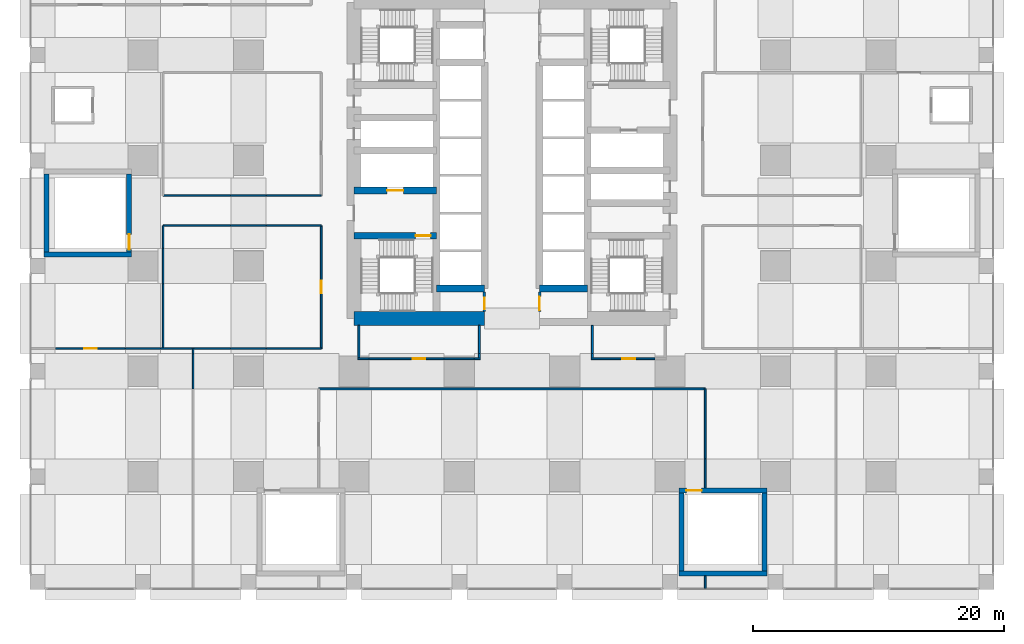
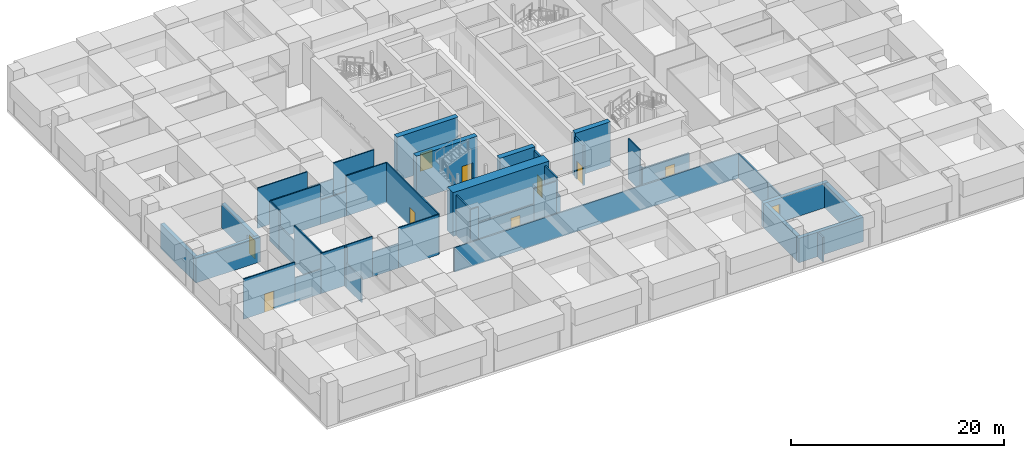
# One storey, part 39 of 52: 46 walls, 10 doors, 10 openings.
"""IFC4 building model written with IfcOpenShell, lengths in metres."""

from ifc_helpers import new_model, si_unit, direction, frame, frame_2d, origin, place, context, subcontext, project, spatial, rectangle, extrude, material, layer, layer_set, type_object, element, fill, save


model = new_model("IFC4")

# Units and contexts
model_context = context("Model", 3, precision=1e-05, world=origin(), true_north=direction((0.0, 1.0)))
body_context = subcontext(model_context, "Body", "Model", "MODEL_VIEW")
ifc_project = project(units=[si_unit("LENGTHUNIT", "METRE"), si_unit("AREAUNIT", "SQUARE_METRE"), si_unit("VOLUMEUNIT", "CUBIC_METRE"), si_unit("PLANEANGLEUNIT", "RADIAN"), si_unit("MASSUNIT", "GRAM", prefix="KILO")], contexts=[model_context])

# Site, building, storey
site_placement = place(None, origin())
site = spatial("IfcSite", under=ifc_project, at=site_placement, CompositionType="ELEMENT")
building_placement = place(site_placement, origin())
building = spatial("IfcBuilding", under=site, at=building_placement, Name="Rekha Terrace Tower", CompositionType="ELEMENT")
storey_placement = place(building_placement, frame((0.0, 0.0, 20.39990234375)))
storey = spatial("IfcBuildingStorey", under=building, at=storey_placement, Name="L04", CompositionType="ELEMENT", Elevation=20.39990234375)

# Walls
ifc_material_1 = material(Name="Concrete M70", Category="concrete")
ifc_layer_1 = layer(ifc_material_1, 0.550048828125)
ifc_layer_set_1 = layer_set([ifc_layer_1], Name="Concrete M70")
wall_type_1 = type_object("IfcWallType", Name="CI1 550 core internal shear wall", PredefinedType="SHEAR", material=ifc_layer_set_1)
for number, where, z_axis, x_axis, name in (
    (1, (31.800048828125, 23.39990234375, 0.0), (0.0, 0.0, 1.0), (1.0, 0.0, 0.0), "Core wall Y234W L04"),
    (2, (40.0, 23.39990234375, 0.0), (0.0, 0.0, 1.0), (1.0, 0.0, 0.0), "Core wall Y234E L04"),
):
    element("IfcWall", number, at=place(storey_placement, frame(where, z_axis=z_axis, x_axis=x_axis)), inside=storey, type_object=wall_type_1, Name=name, PredefinedType="SHEAR", context=body_context, shape_type="SweptSolid", body=[
        extrude(rectangle(XDim=3.800048828125, YDim=0.550048828125, at=frame_2d((1.89990234375, 0.0))), origin(), (0.0, 0.0, 1.0), 5.0),
    ])

# Wall, opening, door
wall_1_placement = place(storey_placement, frame((25.199951171875, 27.60009765625, 0.0), z_axis=(0.0, 0.0, 1.0), x_axis=(1.0, 0.0, 0.0)))
wall_1 = element("IfcWall", 3, at=wall_1_placement, inside=storey, type_object=wall_type_1, Name="Core wall Y276W L04", PredefinedType="SHEAR", context=body_context, shape_type="SweptSolid", body=[
    extrude(rectangle(XDim=6.60009765625, YDim=0.550048828125, at=frame_2d((3.300048828125, 0.0))), origin(), (0.0, 0.0, 1.0), 5.0),
])
opening_1_placement = place(wall_1_placement, frame((4.925048828125, 0.0, 0.0)))
opening_1 = element("IfcOpeningElement", 4, at=opening_1_placement, cuts=wall_1, Name="Opening D1", PredefinedType="OPENING", context=body_context, shape_type="SweptSolid", body=[
    extrude(rectangle(XDim=1.199951171875, YDim=2.10009765625, at=frame_2d((0.60009765625, 1.050048828125))), frame((0.0, 0.284912109375, 0.0), z_axis=(0.0, -1.0, 0.0), x_axis=(1.0, 0.0, 0.0)), (0.0, 0.0, 1.0), 0.570068359375),
])
ifc_material_2 = material(Name="Steel fire door", Category="steel")
door_type_1 = type_object("IfcDoorType", Name="D1 1200x2100 stair fire door", OperationType="SINGLE_SWING_RIGHT", PredefinedType="DOOR", material=ifc_material_2)
door_1_placement = place(opening_1_placement, origin())
door_1 = element("IfcDoor", 5, at=door_1_placement, inside=storey, type_object=door_type_1, Name="Stair ST1 door L04", OperationType="SINGLE_SWING_RIGHT", OverallHeight=2.10009765625, OverallWidth=1.199951171875, PredefinedType="DOOR", context=body_context, shape_type="SweptSolid", body=[
    extrude(rectangle(XDim=1.199951171875, YDim=2.10009765625, at=frame_2d((0.60009765625, 1.050048828125))), frame((0.0, 0.02490234375, 0.0), z_axis=(0.0, -1.0, 0.0), x_axis=(1.0, 0.0, 0.0)), (0.0, 0.0, 1.0), 0.050048828125),
])
fill(opening_1, door_1)

wall_2_placement = place(storey_placement, frame((25.199951171875, 31.199951171875, 0.0), z_axis=(0.0, 0.0, 1.0), x_axis=(1.0, 0.0, 0.0)))
wall_2 = element("IfcWall", 6, at=wall_2_placement, inside=storey, type_object=wall_type_1, Name="Core wall Y312W L04", PredefinedType="SHEAR", context=body_context, shape_type="SweptSolid", body=[
    extrude(rectangle(XDim=6.60009765625, YDim=0.550048828125, at=frame_2d((3.300048828125, 0.0))), origin(), (0.0, 0.0, 1.0), 5.0),
])
opening_2_placement = place(wall_2_placement, frame((2.64990234375, 0.0, 0.0)))
opening_2 = element("IfcOpeningElement", 7, at=opening_2_placement, cuts=wall_2, Name="Opening LD2", PredefinedType="OPENING", context=body_context, shape_type="SweptSolid", body=[
    extrude(rectangle(XDim=1.300048828125, YDim=2.10009765625, at=frame_2d((0.64990234375, 1.050048828125))), frame((0.0, 0.284912109375, 0.0), z_axis=(0.0, -1.0, 0.0), x_axis=(1.0, 0.0, 0.0)), (0.0, 0.0, 1.0), 0.570068359375),
])
ifc_material_3 = material(Name="Stainless steel sliding landing door", Category="steel")
door_type_2 = type_object("IfcDoorType", Name="LD2 1300x2100 fire lift landing door", OperationType="SLIDING_TO_LEFT", PredefinedType="USERDEFINED", material=ifc_material_3)
door_2_placement = place(opening_2_placement, origin())
door_2 = element("IfcDoor", 8, at=door_2_placement, inside=storey, type_object=door_type_2, Name="Lift FL1 landing door L04", ObjectType="LIFT LANDING DOOR", OperationType="SLIDING_TO_LEFT", OverallHeight=2.10009765625, OverallWidth=1.300048828125, PredefinedType="USERDEFINED", context=body_context, shape_type="SweptSolid", body=[
    extrude(rectangle(XDim=1.300048828125, YDim=2.10009765625, at=frame_2d((0.64990234375, 1.050048828125))), frame((0.0, 0.02490234375, 0.0), z_axis=(0.0, -1.0, 0.0), x_axis=(1.0, 0.0, 0.0)), (0.0, 0.0, 1.0), 0.050048828125),
])
fill(opening_2, door_2)

# Walls
ifc_layer_2 = layer(ifc_material_1, 1.10009765625)
ifc_layer_set_2 = layer_set([ifc_layer_2], Name="Concrete M70")
wall_type_2 = type_object("IfcWallType", Name="SW1 1100 core outer shear wall", PredefinedType="SHEAR", material=ifc_layer_set_2)
wall_3_placement = place(storey_placement, frame((25.199951171875, 21.0, 0.0), z_axis=(0.0, 0.0, 1.0), x_axis=(1.0, 0.0, 0.0)))
element("IfcWall", 9, at=wall_3_placement, inside=storey, type_object=wall_type_2, Name="Core wall S1 L04", PredefinedType="SHEAR", context=body_context, shape_type="SweptSolid", body=[
    extrude(rectangle(XDim=10.400146484375, YDim=1.10009765625, at=frame_2d((5.2001953125, 0.0))), origin(), (0.0, 0.0, 1.0), 5.0),
])
ifc_material_4 = material(Name="Concrete block masonry, 1 hour", Category="masonry")
ifc_layer_3 = layer(ifc_material_4, 0.14990234375)
ifc_layer_set_3 = layer_set([ifc_layer_3], Name="Concrete block masonry, 1 hour")
wall_type_3 = type_object("IfcWallType", Name="WP2 150 tenancy partition", PredefinedType="PARTITIONING", material=ifc_layer_set_3)
wall_4_placement = place(storey_placement, frame((25.52490234375, 17.800048828125, 0.0), z_axis=(0.0, 0.0, 1.0), x_axis=(1.0, 0.0, 0.0)))
element("IfcWall", 10, at=wall_4_placement, inside=storey, type_object=wall_type_3, Name="Men's WC wall L04", PredefinedType="PARTITIONING", context=body_context, shape_type="SweptSolid", body=[
    extrude(rectangle(XDim=0.875, YDim=0.14990234375, at=frame_2d((0.4375, 0.0))), origin(), (0.0, 0.0, 1.0), 4.60009765625),
])

# Wall, opening, door
wall_5_placement = place(storey_placement, frame((26.39990234375, 17.800048828125, 0.0), z_axis=(0.0, 0.0, 1.0), x_axis=(1.0, 0.0, 0.0)))
wall_5 = element("IfcWall", 11, at=wall_5_placement, inside=storey, type_object=wall_type_3, Name="Men's WC wall L04", PredefinedType="PARTITIONING", context=body_context, shape_type="SweptSolid", body=[
    extrude(rectangle(XDim=6.0, YDim=0.14990234375, at=frame_2d((3.0, 0.0))), origin(), (0.0, 0.0, 1.0), 2.800048828125),
])
opening_3_placement = place(wall_5_placement, frame((3.5, 0.0, 0.0)))
opening_3 = element("IfcOpeningElement", 12, at=opening_3_placement, cuts=wall_5, Name="Opening D3", PredefinedType="OPENING", context=body_context, shape_type="SweptSolid", body=[
    extrude(rectangle(XDim=1.0, YDim=2.10009765625, at=frame_2d((0.5, 1.050048828125))), frame((0.0, 0.0849609375, 0.0), z_axis=(0.0, -1.0, 0.0), x_axis=(1.0, 0.0, 0.0)), (0.0, 0.0, 1.0), 0.169921875),
])
ifc_material_5 = material(Name="Laminated timber fire door", Category="wood")
door_type_3 = type_object("IfcDoorType", Name="D3 1000x2100 WC door", OperationType="SINGLE_SWING_LEFT", PredefinedType="DOOR", material=ifc_material_5)
door_3_placement = place(opening_3_placement, origin())
door_3 = element("IfcDoor", 13, at=door_3_placement, inside=storey, type_object=door_type_3, Name="Door men's wc L04", OperationType="SINGLE_SWING_LEFT", OverallHeight=2.10009765625, OverallWidth=1.0, PredefinedType="DOOR", context=body_context, shape_type="SweptSolid", body=[
    extrude(rectangle(XDim=1.0, YDim=2.10009765625, at=frame_2d((0.5, 1.050048828125))), frame((0.0, 0.02490234375, 0.0), z_axis=(0.0, -1.0, 0.0), x_axis=(1.0, 0.0, 0.0)), (0.0, 0.0, 1.0), 0.050048828125),
])
fill(opening_3, door_3)

# Walls
wall_6_placement = place(storey_placement, frame((32.39990234375, 17.800048828125, 0.0), z_axis=(0.0, 0.0, 1.0), x_axis=(1.0, 0.0, 0.0)))
element("IfcWall", 14, at=wall_6_placement, inside=storey, type_object=wall_type_3, Name="Men's WC wall L04", PredefinedType="PARTITIONING", context=body_context, shape_type="SweptSolid", body=[
    extrude(rectangle(XDim=2.400146484375, YDim=0.14990234375, at=frame_2d((1.2001953125, 0.0))), origin(), (0.0, 0.0, 1.0), 4.60009765625),
])
wall_7_placement = place(storey_placement, frame((34.800048828125, 17.800048828125, 0.0), z_axis=(0.0, 0.0, 1.0), x_axis=(1.0, 0.0, 0.0)))
element("IfcWall", 15, at=wall_7_placement, inside=storey, type_object=wall_type_3, Name="Men's WC wall L04", PredefinedType="PARTITIONING", context=body_context, shape_type="SweptSolid", body=[
    extrude(rectangle(XDim=0.474853515625, YDim=0.14990234375, at=frame_2d((0.2373046875, 0.0))), origin(), (0.0, 0.0, 1.0), 2.800048828125),
])
wall_8_placement = place(storey_placement, frame((25.60009765625, 17.875, 0.0), z_axis=(0.0, 0.0, 1.0), x_axis=(0.0, 1.0, 0.0)))
element("IfcWall", 16, at=wall_8_placement, inside=storey, type_object=wall_type_3, Name="Men's WC wall L04", PredefinedType="PARTITIONING", context=body_context, shape_type="SweptSolid", body=[
    extrude(rectangle(XDim=2.574951171875, YDim=0.14990234375, at=frame_2d((1.28759765625, 0.0))), origin(), (0.0, 0.0, 1.0), 4.60009765625),
])
wall_9_placement = place(storey_placement, frame((35.199951171875, 17.875, 0.0), z_axis=(0.0, 0.0, 1.0), x_axis=(0.0, 1.0, 0.0)))
element("IfcWall", 17, at=wall_9_placement, inside=storey, type_object=wall_type_3, Name="Men's WC wall L04", PredefinedType="PARTITIONING", context=body_context, shape_type="SweptSolid", body=[
    extrude(rectangle(XDim=0.3349609375, YDim=0.14990234375, at=frame_2d((0.16748046875, 0.0))), origin(), (0.0, 0.0, 1.0), 2.800048828125),
])
wall_10_placement = place(storey_placement, frame((35.199951171875, 18.2099609375, 0.0), z_axis=(0.0, 0.0, 1.0), x_axis=(0.0, 1.0, 0.0)))
element("IfcWall", 18, at=wall_10_placement, inside=storey, type_object=wall_type_3, Name="Men's WC wall L04", PredefinedType="PARTITIONING", context=body_context, shape_type="SweptSolid", body=[
    extrude(rectangle(XDim=2.239990234375, YDim=0.14990234375, at=frame_2d((1.1201171875, 0.0))), origin(), (0.0, 0.0, 1.0), 4.60009765625),
])

# Wall, opening, door
wall_11_placement = place(storey_placement, frame((44.125, 17.800048828125, 0.0), z_axis=(0.0, 0.0, 1.0), x_axis=(1.0, 0.0, 0.0)))
wall_11 = element("IfcWall", 19, at=wall_11_placement, inside=storey, type_object=wall_type_3, Name="Men's WC wall L04", PredefinedType="PARTITIONING", context=body_context, shape_type="SweptSolid", body=[
    extrude(rectangle(XDim=5.074951171875, YDim=0.14990234375, at=frame_2d((2.53759765625, 0.0))), origin(), (0.0, 0.0, 1.0), 2.800048828125),
])
opening_4_placement = place(wall_11_placement, frame((2.47509765625, 0.0, 0.0)))
opening_4 = element("IfcOpeningElement", 20, at=opening_4_placement, cuts=wall_11, Name="Opening D3", PredefinedType="OPENING", context=body_context, shape_type="SweptSolid", body=[
    extrude(rectangle(XDim=1.0, YDim=2.10009765625, at=frame_2d((0.5, 1.050048828125))), frame((0.0, 0.0849609375, 0.0), z_axis=(0.0, -1.0, 0.0), x_axis=(1.0, 0.0, 0.0)), (0.0, 0.0, 1.0), 0.169921875),
])
door_4_placement = place(opening_4_placement, origin())
door_4 = element("IfcDoor", 21, at=door_4_placement, inside=storey, type_object=door_type_3, Name="Door men's wc L04", OperationType="SINGLE_SWING_LEFT", OverallHeight=2.10009765625, OverallWidth=1.0, PredefinedType="DOOR", context=body_context, shape_type="SweptSolid", body=[
    extrude(rectangle(XDim=1.0, YDim=2.10009765625, at=frame_2d((0.5, 1.050048828125))), frame((0.0, 0.02490234375, 0.0), z_axis=(0.0, -1.0, 0.0), x_axis=(1.0, 0.0, 0.0)), (0.0, 0.0, 1.0), 0.050048828125),
])
fill(opening_4, door_4)

# Walls
wall_12_placement = place(storey_placement, frame((44.199951171875, 17.875, 0.0), z_axis=(0.0, 0.0, 1.0), x_axis=(0.0, 1.0, 0.0)))
element("IfcWall", 22, at=wall_12_placement, inside=storey, type_object=wall_type_3, Name="Men's WC wall L04", PredefinedType="PARTITIONING", context=body_context, shape_type="SweptSolid", body=[
    extrude(rectangle(XDim=0.3349609375, YDim=0.14990234375, at=frame_2d((0.16748046875, 0.0))), origin(), (0.0, 0.0, 1.0), 2.800048828125),
])
wall_13_placement = place(storey_placement, frame((44.199951171875, 18.2099609375, 0.0), z_axis=(0.0, 0.0, 1.0), x_axis=(0.0, 1.0, 0.0)))
element("IfcWall", 23, at=wall_13_placement, inside=storey, type_object=wall_type_3, Name="Men's WC wall L04", PredefinedType="PARTITIONING", context=body_context, shape_type="SweptSolid", body=[
    extrude(rectangle(XDim=2.239990234375, YDim=0.14990234375, at=frame_2d((1.1201171875, 0.0))), origin(), (0.0, 0.0, 1.0), 4.60009765625),
])
wall_14_placement = place(storey_placement, frame((22.39990234375, 15.39990234375, 0.0), z_axis=(0.0, 0.0, 1.0), x_axis=(1.0, 0.0, 0.0)))
element("IfcWall", 24, at=wall_14_placement, inside=storey, type_object=wall_type_3, Name="Partition L04-02", PredefinedType="PARTITIONING", context=body_context, shape_type="SweptSolid", body=[
    extrude(rectangle(XDim=30.800048828125, YDim=0.14990234375, at=frame_2d((15.39990234375, 0.0))), origin(), (0.0, 0.0, 1.0), 2.800048828125),
])
wall_15_placement = place(storey_placement, frame((53.199951171875, 15.39990234375, 0.0), z_axis=(0.0, 0.0, 1.0), x_axis=(0.0, -1.0, 0.0)))
element("IfcWall", 25, at=wall_15_placement, inside=storey, type_object=wall_type_3, Name="Partition L04-02", PredefinedType="PARTITIONING", context=body_context, shape_type="SweptSolid", body=[
    extrude(rectangle(XDim=5.58984375, YDim=0.14990234375, at=frame_2d((2.794921875, 0.0))), origin(), (0.0, 0.0, 1.0), 2.800048828125),
])
wall_16_placement = place(storey_placement, frame((53.199951171875, 9.81005859375, 0.0), z_axis=(0.0, 0.0, 1.0), x_axis=(0.0, -1.0, 0.0)))
element("IfcWall", 26, at=wall_16_placement, inside=storey, type_object=wall_type_3, Name="Partition L04-02", PredefinedType="PARTITIONING", context=body_context, shape_type="SweptSolid", body=[
    extrude(rectangle(XDim=2.31005859375, YDim=0.14990234375, at=frame_2d((1.155029296875, 0.0))), origin(), (0.0, 0.0, 1.0), 2.800048828125),
])
wall_17_placement = place(storey_placement, frame((53.199951171875, 0.5, 0.0), z_axis=(0.0, 0.0, 1.0), x_axis=(0.0, -1.0, 0.0)))
element("IfcWall", 27, at=wall_17_placement, inside=storey, type_object=wall_type_3, Name="Partition L04-02", PredefinedType="PARTITIONING", context=body_context, shape_type="SweptSolid", body=[
    extrude(rectangle(XDim=0.989990234375, YDim=0.14990234375, at=frame_2d((0.4951171875, 0.0))), origin(), (0.0, 0.0, 1.0), 2.800048828125),
])

# Wall, opening, door
ifc_material_6 = material(Name="Two layers of fire-rated gypsum board each side on steel studs, acoustic quilt, 1 hour", Category="steel")
ifc_layer_4 = layer(ifc_material_6, 0.125)
ifc_layer_set_4 = layer_set([ifc_layer_4], Name="Two layers of fire-rated gypsum board each side on steel studs, acoustic quilt, 1 hour")
wall_type_4 = type_object("IfcWallType", Name="WP3 125 office partition", PredefinedType="PARTITIONING", material=ifc_layer_set_4)
wall_18_placement = place(storey_placement, frame((1.409912109375, 18.60009765625, 0.0), z_axis=(0.0, 0.0, 1.0), x_axis=(1.0, 0.0, 0.0)))
wall_18 = element("IfcWall", 28, at=wall_18_placement, inside=storey, type_object=wall_type_4, Name="Partition L04-05", PredefinedType="PARTITIONING", context=body_context, shape_type="SweptSolid", body=[
    extrude(rectangle(XDim=5.580078125, YDim=0.125, at=frame_2d((2.7900390625, 0.0))), origin(), (0.0, 0.0, 1.0), 4.60009765625),
])
opening_5_placement = place(wall_18_placement, frame((2.2900390625, 0.0, 0.0)))
opening_5 = element("IfcOpeningElement", 29, at=opening_5_placement, cuts=wall_18, Name="Opening D9", PredefinedType="OPENING", context=body_context, shape_type="SweptSolid", body=[
    extrude(rectangle(XDim=1.0, YDim=2.10009765625, at=frame_2d((0.5, 1.050048828125))), frame((0.0, 0.072509765625, 0.0), z_axis=(0.0, -1.0, 0.0), x_axis=(1.0, 0.0, 0.0)), (0.0, 0.0, 1.0), 0.14501953125),
])
ifc_material_7 = material(Name="Timber fire door", Category="wood")
door_type_4 = type_object("IfcDoorType", Name="D9 1000x2100 office door", OperationType="SINGLE_SWING_LEFT", PredefinedType="DOOR", material=ifc_material_7)
door_5_placement = place(opening_5_placement, origin())
door_5 = element("IfcDoor", 30, at=door_5_placement, inside=storey, type_object=door_type_4, Name="Door business centre office L04", OperationType="SINGLE_SWING_LEFT", OverallHeight=2.10009765625, OverallWidth=1.0, PredefinedType="DOOR", context=body_context, shape_type="SweptSolid", body=[
    extrude(rectangle(XDim=1.0, YDim=2.10009765625, at=frame_2d((0.5, 1.050048828125))), frame((0.0, 0.02490234375, 0.0), z_axis=(0.0, -1.0, 0.0), x_axis=(1.0, 0.0, 0.0)), (0.0, 0.0, 1.0), 0.050048828125),
])
fill(opening_5, door_5)

# Walls
wall_19_placement = place(storey_placement, frame((6.989990234375, 18.60009765625, 0.0), z_axis=(0.0, 0.0, 1.0), x_axis=(1.0, 0.0, 0.0)))
element("IfcWall", 31, at=wall_19_placement, inside=storey, type_object=wall_type_4, Name="Partition L04-05", PredefinedType="PARTITIONING", context=body_context, shape_type="SweptSolid", body=[
    extrude(rectangle(XDim=2.820068359375, YDim=0.125, at=frame_2d((1.41015625, 0.0))), origin(), (0.0, 0.0, 1.0), 2.800048828125),
])
wall_20_placement = place(storey_placement, frame((9.81005859375, 18.60009765625, 0.0), z_axis=(0.0, 0.0, 1.0), x_axis=(1.0, 0.0, 0.0)))
element("IfcWall", 32, at=wall_20_placement, inside=storey, type_object=wall_type_4, Name="Partition L04-05", PredefinedType="PARTITIONING", context=body_context, shape_type="SweptSolid", body=[
    extrude(rectangle(XDim=2.58984375, YDim=0.125, at=frame_2d((1.294921875, 0.0))), origin(), (0.0, 0.0, 1.0), 4.60009765625),
])
wall_21_placement = place(storey_placement, frame((12.39990234375, 18.60009765625, 0.0), z_axis=(0.0, 0.0, 1.0), x_axis=(0.0, -1.0, 0.0)))
element("IfcWall", 33, at=wall_21_placement, inside=storey, type_object=wall_type_4, Name="Partition L04-05", PredefinedType="PARTITIONING", context=body_context, shape_type="SweptSolid", body=[
    extrude(rectangle(XDim=0.39013671875, YDim=0.125, at=frame_2d((0.195068359375, 0.0))), origin(), (0.0, 0.0, 1.0), 4.60009765625),
])
wall_22_placement = place(storey_placement, frame((12.39990234375, 18.2099609375, 0.0), z_axis=(0.0, 0.0, 1.0), x_axis=(0.0, -1.0, 0.0)))
element("IfcWall", 34, at=wall_22_placement, inside=storey, type_object=wall_type_4, Name="Partition L04-05", PredefinedType="PARTITIONING", context=body_context, shape_type="SweptSolid", body=[
    extrude(rectangle(XDim=2.820068359375, YDim=0.125, at=frame_2d((1.41015625, 0.0))), origin(), (0.0, 0.0, 1.0), 2.800048828125),
])
wall_23_placement = place(storey_placement, frame((10.0, 28.39990234375, 0.0), z_axis=(0.0, 0.0, 1.0), x_axis=(1.0, 0.0, 0.0)))
element("IfcWall", 35, at=wall_23_placement, inside=storey, type_object=wall_type_4, Name="Partition L04-07", PredefinedType="PARTITIONING", context=body_context, shape_type="SweptSolid", body=[
    extrude(rectangle(XDim=5.389892578125, YDim=0.125, at=frame_2d((2.69482421875, 0.0))), origin(), (0.0, 0.0, 1.0), 4.60009765625),
])
wall_24_placement = place(storey_placement, frame((15.389892578125, 28.39990234375, 0.0), z_axis=(0.0, 0.0, 1.0), x_axis=(1.0, 0.0, 0.0)))
element("IfcWall", 36, at=wall_24_placement, inside=storey, type_object=wall_type_4, Name="Partition L04-07", PredefinedType="PARTITIONING", context=body_context, shape_type="SweptSolid", body=[
    extrude(rectangle(XDim=2.820068359375, YDim=0.125, at=frame_2d((1.41015625, 0.0))), origin(), (0.0, 0.0, 1.0), 2.800048828125),
])
wall_25_placement = place(storey_placement, frame((18.2099609375, 28.39990234375, 0.0), z_axis=(0.0, 0.0, 1.0), x_axis=(1.0, 0.0, 0.0)))
element("IfcWall", 37, at=wall_25_placement, inside=storey, type_object=wall_type_4, Name="Partition L04-07", PredefinedType="PARTITIONING", context=body_context, shape_type="SweptSolid", body=[
    extrude(rectangle(XDim=4.39013671875, YDim=0.125, at=frame_2d((2.195068359375, 0.0))), origin(), (0.0, 0.0, 1.0), 4.60009765625),
])

# Wall, opening, door
wall_26_placement = place(storey_placement, frame((22.60009765625, 28.39990234375, 0.0), z_axis=(0.0, 0.0, 1.0), x_axis=(0.0, -1.0, 0.0)))
wall_26 = element("IfcWall", 38, at=wall_26_placement, inside=storey, type_object=wall_type_4, Name="Partition L04-07", PredefinedType="PARTITIONING", context=body_context, shape_type="SweptSolid", body=[
    extrude(rectangle(XDim=9.7998046875, YDim=0.125, at=frame_2d((4.89990234375, 0.0))), origin(), (0.0, 0.0, 1.0), 4.60009765625),
])
opening_6_placement = place(wall_26_placement, frame((4.39990234375, 0.0, 0.0)))
opening_6 = element("IfcOpeningElement", 39, at=opening_6_placement, cuts=wall_26, Name="Opening D9", PredefinedType="OPENING", context=body_context, shape_type="SweptSolid", body=[
    extrude(rectangle(XDim=1.0, YDim=2.10009765625, at=frame_2d((0.5, 1.050048828125))), frame((0.0, 0.072509765625, 0.0), z_axis=(0.0, -1.0, 0.0), x_axis=(1.0, 0.0, 0.0)), (0.0, 0.0, 1.0), 0.14501953125),
])
door_6_placement = place(opening_6_placement, origin())
door_6 = element("IfcDoor", 40, at=door_6_placement, inside=storey, type_object=door_type_4, Name="Door business centre office L04", OperationType="SINGLE_SWING_LEFT", OverallHeight=2.10009765625, OverallWidth=1.0, PredefinedType="DOOR", context=body_context, shape_type="SweptSolid", body=[
    extrude(rectangle(XDim=1.0, YDim=2.10009765625, at=frame_2d((0.5, 1.050048828125))), frame((0.0, 0.02490234375, 0.0), z_axis=(0.0, -1.0, 0.0), x_axis=(1.0, 0.0, 0.0)), (0.0, 0.0, 1.0), 0.050048828125),
])
fill(opening_6, door_6)

# Walls
wall_27_placement = place(storey_placement, frame((22.60009765625, 18.60009765625, 0.0), z_axis=(0.0, 0.0, 1.0), x_axis=(-1.0, 0.0, 0.0)))
element("IfcWall", 41, at=wall_27_placement, inside=storey, type_object=wall_type_4, Name="Partition L04-07", PredefinedType="PARTITIONING", context=body_context, shape_type="SweptSolid", body=[
    extrude(rectangle(XDim=4.39013671875, YDim=0.125, at=frame_2d((2.195068359375, 0.0))), origin(), (0.0, 0.0, 1.0), 4.60009765625),
])
wall_28_placement = place(storey_placement, frame((18.2099609375, 18.60009765625, 0.0), z_axis=(0.0, 0.0, 1.0), x_axis=(-1.0, 0.0, 0.0)))
element("IfcWall", 42, at=wall_28_placement, inside=storey, type_object=wall_type_4, Name="Partition L04-07", PredefinedType="PARTITIONING", context=body_context, shape_type="SweptSolid", body=[
    extrude(rectangle(XDim=2.820068359375, YDim=0.125, at=frame_2d((1.41015625, 0.0))), origin(), (0.0, 0.0, 1.0), 2.800048828125),
])
wall_29_placement = place(storey_placement, frame((15.389892578125, 18.60009765625, 0.0), z_axis=(0.0, 0.0, 1.0), x_axis=(-1.0, 0.0, 0.0)))
element("IfcWall", 43, at=wall_29_placement, inside=storey, type_object=wall_type_4, Name="Partition L04-07", PredefinedType="PARTITIONING", context=body_context, shape_type="SweptSolid", body=[
    extrude(rectangle(XDim=2.989990234375, YDim=0.125, at=frame_2d((1.4951171875, 0.0))), origin(), (0.0, 0.0, 1.0), 4.60009765625),
])
wall_30_placement = place(storey_placement, frame((10.0, 18.6630859375, 0.0), z_axis=(0.0, 0.0, 1.0), x_axis=(0.0, 1.0, 0.0)))
element("IfcWall", 44, at=wall_30_placement, inside=storey, type_object=wall_type_4, Name="Partition L04-07", PredefinedType="PARTITIONING", context=body_context, shape_type="SweptSolid", body=[
    extrude(rectangle(XDim=5.126953125, YDim=0.125, at=frame_2d((2.5634765625, 0.0))), origin(), (0.0, 0.0, 1.0), 4.60009765625),
])
wall_31_placement = place(storey_placement, frame((10.0, 23.7900390625, 0.0), z_axis=(0.0, 0.0, 1.0), x_axis=(0.0, 1.0, 0.0)))
element("IfcWall", 45, at=wall_31_placement, inside=storey, type_object=wall_type_4, Name="Partition L04-07", PredefinedType="PARTITIONING", context=body_context, shape_type="SweptSolid", body=[
    extrude(rectangle(XDim=2.820068359375, YDim=0.125, at=frame_2d((1.41015625, 0.0))), origin(), (0.0, 0.0, 1.0), 2.800048828125),
])
wall_32_placement = place(storey_placement, frame((10.0, 26.610107421875, 0.0), z_axis=(0.0, 0.0, 1.0), x_axis=(0.0, 1.0, 0.0)))
element("IfcWall", 46, at=wall_32_placement, inside=storey, type_object=wall_type_4, Name="Partition L04-07", PredefinedType="PARTITIONING", context=body_context, shape_type="SweptSolid", body=[
    extrude(rectangle(XDim=1.789794921875, YDim=0.125, at=frame_2d((0.89501953125, 0.0))), origin(), (0.0, 0.0, 1.0), 4.60009765625),
])
wall_33_placement = place(storey_placement, frame((22.60009765625, 30.800048828125, 0.0), z_axis=(0.0, 0.0, 1.0), x_axis=(-1.0, 0.0, 0.0)))
element("IfcWall", 47, at=wall_33_placement, inside=storey, type_object=wall_type_4, Name="Partition L04-08", PredefinedType="PARTITIONING", context=body_context, shape_type="SweptSolid", body=[
    extrude(rectangle(XDim=4.39013671875, YDim=0.125, at=frame_2d((2.195068359375, 0.0))), origin(), (0.0, 0.0, 1.0), 4.60009765625),
])
wall_34_placement = place(storey_placement, frame((18.2099609375, 30.800048828125, 0.0), z_axis=(0.0, 0.0, 1.0), x_axis=(-1.0, 0.0, 0.0)))
element("IfcWall", 48, at=wall_34_placement, inside=storey, type_object=wall_type_4, Name="Partition L04-08", PredefinedType="PARTITIONING", context=body_context, shape_type="SweptSolid", body=[
    extrude(rectangle(XDim=2.820068359375, YDim=0.125, at=frame_2d((1.41015625, 0.0))), origin(), (0.0, 0.0, 1.0), 2.800048828125),
])
wall_35_placement = place(storey_placement, frame((15.389892578125, 30.800048828125, 0.0), z_axis=(0.0, 0.0, 1.0), x_axis=(-1.0, 0.0, 0.0)))
element("IfcWall", 49, at=wall_35_placement, inside=storey, type_object=wall_type_4, Name="Partition L04-08", PredefinedType="PARTITIONING", context=body_context, shape_type="SweptSolid", body=[
    extrude(rectangle(XDim=5.389892578125, YDim=0.125, at=frame_2d((2.69482421875, 0.0))), origin(), (0.0, 0.0, 1.0), 4.60009765625),
])

# Wall, opening, door
ifc_material_8 = material(Name="Solid concrete block masonry, 2 hour", Category="masonry")
ifc_layer_5 = layer(ifc_material_8, 0.199951171875)
ifc_layer_set_5 = layer_set([ifc_layer_5], Name="Solid concrete block masonry, 2 hour")
wall_type_5 = type_object("IfcWallType", Name="WS1 200 stair and shaft enclosure", PredefinedType="PARTITIONING", material=ifc_layer_set_5)
wall_36_placement = place(storey_placement, frame((40.0, 21.550048828125, 0.0), z_axis=(0.0, 0.0, 1.0), x_axis=(0.0, 1.0, 0.0)))
wall_36 = element("IfcWall", 50, at=wall_36_placement, inside=storey, type_object=wall_type_5, Name="Core partition wca L04", PredefinedType="PARTITIONING", context=body_context, shape_type="SweptSolid", body=[
    extrude(rectangle(XDim=1.574951171875, YDim=0.199951171875, at=frame_2d((0.78759765625, 0.0))), origin(), (0.0, 0.0, 1.0), 4.60009765625),
])
opening_7_placement = place(wall_36_placement, frame((0.10009765625, 0.0, 0.0)))
opening_7 = element("IfcOpeningElement", 51, at=opening_7_placement, cuts=wall_36, Name="Opening D4", PredefinedType="OPENING", context=body_context, shape_type="SweptSolid", body=[
    extrude(rectangle(XDim=1.10009765625, YDim=2.10009765625, at=frame_2d((0.550048828125, 1.050048828125))), frame((0.0, 0.10986328125, 0.0), z_axis=(0.0, -1.0, 0.0), x_axis=(1.0, 0.0, 0.0)), (0.0, 0.0, 1.0), 0.219970703125),
])
door_type_5 = type_object("IfcDoorType", Name="D4 1100x2100 accessible WC door", OperationType="SLIDING_TO_LEFT", PredefinedType="DOOR", material=ifc_material_5)
door_7_placement = place(opening_7_placement, origin())
door_7 = element("IfcDoor", 52, at=door_7_placement, inside=storey, type_object=door_type_5, Name="Door wca L04", OperationType="SLIDING_TO_LEFT", OverallHeight=2.10009765625, OverallWidth=1.10009765625, PredefinedType="DOOR", context=body_context, shape_type="SweptSolid", body=[
    extrude(rectangle(XDim=1.10009765625, YDim=2.10009765625, at=frame_2d((0.550048828125, 1.050048828125))), frame((0.0, 0.02490234375, 0.0), z_axis=(0.0, -1.0, 0.0), x_axis=(1.0, 0.0, 0.0)), (0.0, 0.0, 1.0), 0.050048828125),
])
fill(opening_7, door_7)

wall_37_placement = place(storey_placement, frame((35.60009765625, 21.550048828125, 0.0), z_axis=(0.0, 0.0, 1.0), x_axis=(0.0, 1.0, 0.0)))
wall_37 = element("IfcWall", 53, at=wall_37_placement, inside=storey, type_object=wall_type_5, Name="Core partition west L04", PredefinedType="PARTITIONING", context=body_context, shape_type="SweptSolid", body=[
    extrude(rectangle(XDim=1.574951171875, YDim=0.199951171875, at=frame_2d((0.78759765625, 0.0))), origin(), (0.0, 0.0, 1.0), 4.60009765625),
])
opening_8_placement = place(wall_37_placement, frame((0.199951171875, 0.0, 0.0)))
opening_8 = element("IfcOpeningElement", 54, at=opening_8_placement, cuts=wall_37, Name="Opening D5", PredefinedType="OPENING", context=body_context, shape_type="SweptSolid", body=[
    extrude(rectangle(XDim=0.89990234375, YDim=2.10009765625, at=frame_2d((0.449951171875, 1.050048828125))), frame((0.0, 0.10986328125, 0.0), z_axis=(0.0, -1.0, 0.0), x_axis=(1.0, 0.0, 0.0)), (0.0, 0.0, 1.0), 0.219970703125),
])
door_type_6 = type_object("IfcDoorType", Name="D5 900x2100 riser access door", OperationType="SINGLE_SWING_LEFT", PredefinedType="DOOR", material=ifc_material_2)
door_8_placement = place(opening_8_placement, origin())
door_8 = element("IfcDoor", 55, at=door_8_placement, inside=storey, type_object=door_type_6, Name="Door it comms room L04", OperationType="SINGLE_SWING_LEFT", OverallHeight=2.10009765625, OverallWidth=0.89990234375, PredefinedType="DOOR", context=body_context, shape_type="SweptSolid", body=[
    extrude(rectangle(XDim=0.89990234375, YDim=2.10009765625, at=frame_2d((0.449951171875, 1.050048828125))), frame((0.0, 0.02490234375, 0.0), z_axis=(0.0, -1.0, 0.0), x_axis=(1.0, 0.0, 0.0)), (0.0, 0.0, 1.0), 0.050048828125),
])
fill(opening_8, door_8)

# Walls
ifc_material_9 = material(Name="Concrete M60", Category="concrete")
ifc_layer_6 = layer(ifc_material_9, 0.39990234375)
ifc_layer_set_6 = layer_set([ifc_layer_6], Name="Concrete M60")
wall_type_6 = type_object("IfcWallType", Name="WS3 400 RC podium stair wall", PredefinedType="SOLIDWALL", material=ifc_layer_set_6)
wall_38_placement = place(storey_placement, frame((0.5, 26.10009765625, 0.0), z_axis=(0.0, 0.0, 1.0), x_axis=(1.0, 0.0, 0.0)))
element("IfcWall", 56, at=wall_38_placement, inside=storey, type_object=wall_type_6, Name="Stair SP1 south wall", PredefinedType="SOLIDWALL", context=body_context, shape_type="SweptSolid", body=[
    extrude(rectangle(XDim=7.0, YDim=0.39990234375, at=frame_2d((3.5, 0.0))), origin(), (0.0, 0.0, 1.0), 2.800048828125),
])
wall_39_placement = place(storey_placement, frame((0.699951171875, 26.300048828125, 0.0), z_axis=(0.0, 0.0, 1.0), x_axis=(0.0, 1.0, 0.0)))
element("IfcWall", 57, at=wall_39_placement, inside=storey, type_object=wall_type_6, Name="Stair SP1 west wall", PredefinedType="SOLIDWALL", context=body_context, shape_type="SweptSolid", body=[
    extrude(rectangle(XDim=6.199951171875, YDim=0.39990234375, at=frame_2d((3.10009765625, 0.0))), origin(), (0.0, 0.0, 1.0), 2.800048828125),
])

# Wall, opening, door
wall_40_placement = place(storey_placement, frame((7.300048828125, 26.300048828125, 0.0), z_axis=(0.0, 0.0, 1.0), x_axis=(0.0, 1.0, 0.0)))
wall_40 = element("IfcWall", 58, at=wall_40_placement, inside=storey, type_object=wall_type_6, Name="Stair SP1 east wall", PredefinedType="SOLIDWALL", context=body_context, shape_type="SweptSolid", body=[
    extrude(rectangle(XDim=6.199951171875, YDim=0.39990234375, at=frame_2d((3.10009765625, 0.0))), origin(), (0.0, 0.0, 1.0), 2.800048828125),
])
opening_9_placement = place(wall_40_placement, frame((0.199951171875, 0.0, 0.0)))
opening_9 = element("IfcOpeningElement", 59, at=opening_9_placement, cuts=wall_40, Name="Opening D1", PredefinedType="OPENING", context=body_context, shape_type="SweptSolid", body=[
    extrude(rectangle(XDim=1.199951171875, YDim=2.10009765625, at=frame_2d((0.60009765625, 1.050048828125))), frame((0.0, 0.2099609375, 0.0), z_axis=(0.0, -1.0, 0.0), x_axis=(1.0, 0.0, 0.0)), (0.0, 0.0, 1.0), 0.419921875),
])
door_9_placement = place(opening_9_placement, origin())
door_9 = element("IfcDoor", 60, at=door_9_placement, inside=storey, type_object=door_type_1, Name="Stair SP1 door L04", OperationType="SINGLE_SWING_RIGHT", OverallHeight=2.10009765625, OverallWidth=1.199951171875, PredefinedType="DOOR", context=body_context, shape_type="SweptSolid", body=[
    extrude(rectangle(XDim=1.199951171875, YDim=2.10009765625, at=frame_2d((0.60009765625, 1.050048828125))), frame((0.0, 0.02490234375, 0.0), z_axis=(0.0, -1.0, 0.0), x_axis=(1.0, 0.0, 0.0)), (0.0, 0.0, 1.0), 0.050048828125),
])
fill(opening_9, door_9)

# Wall
wall_41_placement = place(storey_placement, frame((51.10009765625, 0.699951171875, 0.0), z_axis=(0.0, 0.0, 1.0), x_axis=(1.0, 0.0, 0.0)))
element("IfcWall", 61, at=wall_41_placement, inside=storey, type_object=wall_type_6, Name="Stair SP4 south wall", PredefinedType="SOLIDWALL", context=body_context, shape_type="SweptSolid", body=[
    extrude(rectangle(XDim=7.0, YDim=0.39990234375, at=frame_2d((3.5, 0.0))), origin(), (0.0, 0.0, 1.0), 2.800048828125),
])

# Wall, opening, door
wall_42_placement = place(storey_placement, frame((51.10009765625, 7.300048828125, 0.0), z_axis=(0.0, 0.0, 1.0), x_axis=(1.0, 0.0, 0.0)))
wall_42 = element("IfcWall", 62, at=wall_42_placement, inside=storey, type_object=wall_type_6, Name="Stair SP4 north wall", PredefinedType="SOLIDWALL", context=body_context, shape_type="SweptSolid", body=[
    extrude(rectangle(XDim=7.0, YDim=0.39990234375, at=frame_2d((3.5, 0.0))), origin(), (0.0, 0.0, 1.0), 2.800048828125),
])
opening_10_placement = place(wall_42_placement, frame((0.60009765625, 0.0, 0.0)))
opening_10 = element("IfcOpeningElement", 63, at=opening_10_placement, cuts=wall_42, Name="Opening D1", PredefinedType="OPENING", context=body_context, shape_type="SweptSolid", body=[
    extrude(rectangle(XDim=1.199951171875, YDim=2.10009765625, at=frame_2d((0.60009765625, 1.050048828125))), frame((0.0, 0.2099609375, 0.0), z_axis=(0.0, -1.0, 0.0), x_axis=(1.0, 0.0, 0.0)), (0.0, 0.0, 1.0), 0.419921875),
])
door_10_placement = place(opening_10_placement, origin())
door_10 = element("IfcDoor", 64, at=door_10_placement, inside=storey, type_object=door_type_1, Name="Stair SP4 door L04", OperationType="SINGLE_SWING_RIGHT", OverallHeight=2.10009765625, OverallWidth=1.199951171875, PredefinedType="DOOR", context=body_context, shape_type="SweptSolid", body=[
    extrude(rectangle(XDim=1.199951171875, YDim=2.10009765625, at=frame_2d((0.60009765625, 1.050048828125))), frame((0.0, 0.02490234375, 0.0), z_axis=(0.0, -1.0, 0.0), x_axis=(1.0, 0.0, 0.0)), (0.0, 0.0, 1.0), 0.050048828125),
])
fill(opening_10, door_10)

# Walls
for number, where, z_axis, x_axis, name in (
    (65, (51.300048828125, 0.89990234375, 0.0), (0.0, 0.0, 1.0), (0.0, 1.0, 0.0), "Stair SP4 west wall"),
    (66, (57.89990234375, 0.89990234375, 0.0), (0.0, 0.0, 1.0), (0.0, 1.0, 0.0), "Stair SP4 east wall"),
):
    element("IfcWall", number, at=place(storey_placement, frame(where, z_axis=z_axis, x_axis=x_axis)), inside=storey, type_object=wall_type_6, Name=name, PredefinedType="SOLIDWALL", context=body_context, shape_type="SweptSolid", body=[
        extrude(rectangle(XDim=6.2001953125, YDim=0.39990234375, at=frame_2d((3.10009765625, 0.0))), origin(), (0.0, 0.0, 1.0), 2.800048828125),
    ])

save(model, "model.ifc")
